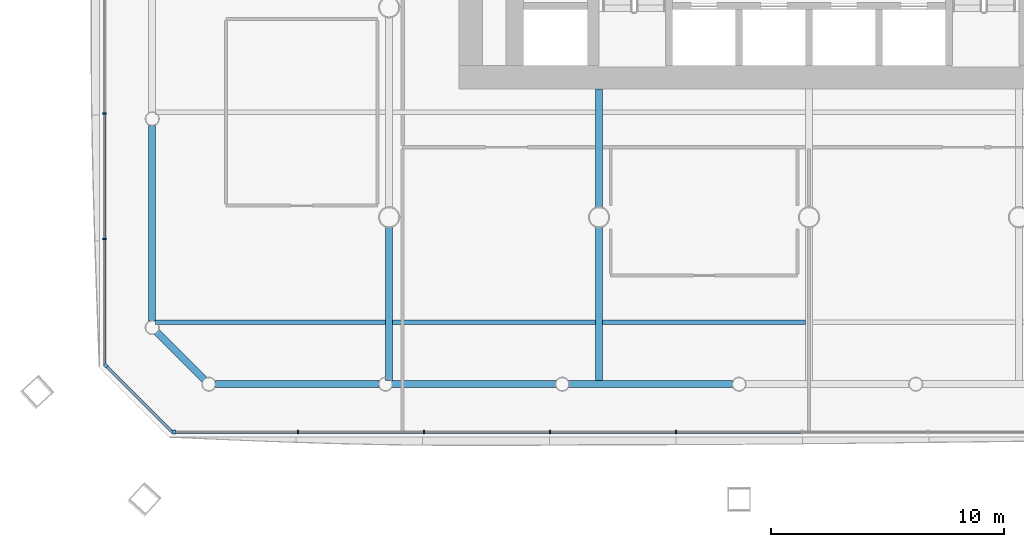
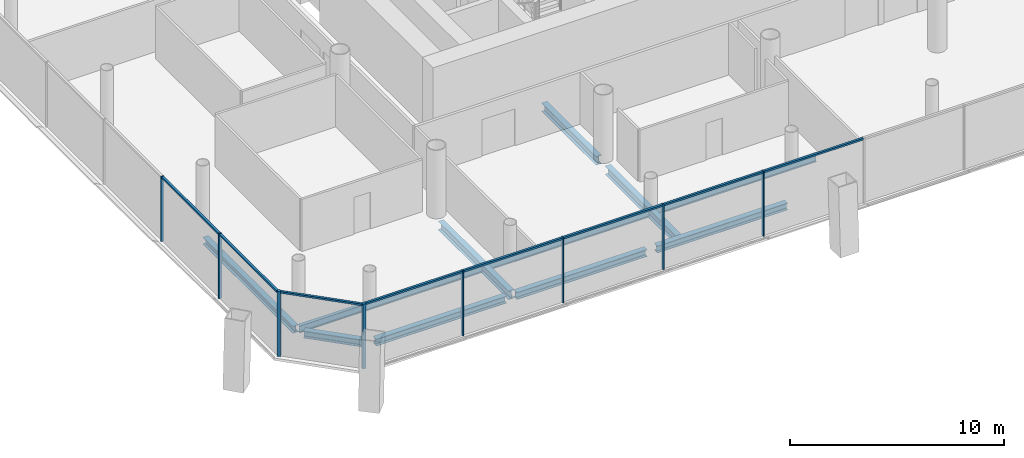
# One storey, part 3 of 22: 16 members, 11 beams, 3 elements without a shape of their own.
"""IFC4 building model written with IfcOpenShell, lengths in metres."""

from ifc_helpers import new_model, si_unit, direction, frame, origin, origin_2d, place, context, subcontext, project, spatial, rectangle, i_section, extrude, material, material_profile, profile_set, type_object, element, aggregate, save


model = new_model("IFC4")

# Units and contexts
model_context = context("Model", 3, precision=1e-05, world=origin(), true_north=direction((0.0, 1.0)))
body_context = subcontext(model_context, "Body", "Model", "MODEL_VIEW")
ifc_project = project(units=[si_unit("LENGTHUNIT", "METRE"), si_unit("AREAUNIT", "SQUARE_METRE"), si_unit("VOLUMEUNIT", "CUBIC_METRE"), si_unit("PLANEANGLEUNIT", "RADIAN"), si_unit("MASSUNIT", "GRAM", prefix="KILO")], contexts=[model_context])

# Site, building, storey
site_placement = place(None, origin())
site = spatial("IfcSite", under=ifc_project, at=site_placement, CompositionType="ELEMENT")
building_placement = place(site_placement, origin())
building = spatial("IfcBuilding", under=site, at=building_placement, Name="Tskaro Facet Tower", CompositionType="ELEMENT")
storey_placement = place(building_placement, frame((0.0, 0.0, 26.39990234375)))
storey = spatial("IfcBuildingStorey", under=building, at=storey_placement, Name="L05", CompositionType="ELEMENT", Elevation=26.39990234375)

# Curtain wall, member
ifc_material_1 = material(Name="Bronze anodised aluminium 6063-T6", Category="aluminium")
curtain_wall_type = type_object("IfcCurtainWallType", Name="Bronze office curtain wall (FW1)", PredefinedType="NOTDEFINED", material=ifc_material_1)
curtain_wall_1_placement = place(storey_placement, origin())
curtain_wall_1 = element("IfcCurtainWall", 1, at=curtain_wall_1_placement, inside=storey, type_object=curtain_wall_type, Name="FW1 south facet L05", PredefinedType="NOTDEFINED")
ifc_material_profile_1 = material_profile(ifc_material_1, rectangle(XDim=0.159912109375, YDim=0.159912109375, at=origin_2d()), Name="Corner post 160x160")
ifc_profile_set_1 = profile_set([ifc_material_profile_1], Name="Bronze anodised aluminium 6063-T6")
member_type_1 = type_object("IfcMemberType", Name="FW1 bronze corner post 160x160", PredefinedType="MULLION", material=ifc_profile_set_1)
member_1_placement = place(storey_placement, frame((-27.22509765625, -27.201904296875, 0.0), z_axis=(0.0, 0.0, 1.0), x_axis=(1.0, 0.0, 0.0)))
member_1 = element("IfcMember", 2, at=member_1_placement, type_object=member_type_1, Name="FW1 south corner post", PredefinedType="MULLION", context=body_context, shape_type="SweptSolid", body=[
    extrude(rectangle(XDim=0.159912109375, YDim=0.159912109375, at=origin_2d()), origin(), (0.0, 0.0, 1.0), 3.7001953125),
])

curtain_wall_2_placement = place(storey_placement, origin())
curtain_wall_2 = element("IfcCurtainWall", 3, at=curtain_wall_2_placement, inside=storey, type_object=curtain_wall_type, Name="FW1 south-west facet L05", PredefinedType="NOTDEFINED")
member_2_placement = place(storey_placement, frame((-30.1455078125, -24.361572265625, 0.0), z_axis=(0.0, 0.0, 1.0), x_axis=(0.707106781187, -0.707106781187, 0.0)))
member_2 = element("IfcMember", 4, at=member_2_placement, type_object=member_type_1, Name="FW1 south-west corner post", PredefinedType="MULLION", context=body_context, shape_type="SweptSolid", body=[
    extrude(rectangle(XDim=0.159912109375, YDim=0.159912109375, at=origin_2d()), origin(), (0.0, 0.0, 1.0), 3.7001953125),
])

# Member
ifc_material_profile_2 = material_profile(ifc_material_1, rectangle(XDim=0.06005859375, YDim=0.159912109375, at=origin_2d()), Name="Mullion 60x160")
ifc_profile_set_2 = profile_set([ifc_material_profile_2], Name="Bronze anodised aluminium 6063-T6")
member_type_2 = type_object("IfcMemberType", Name="FW1 bronze mullion 60x160", PredefinedType="MULLION", material=ifc_profile_set_2)
member_3_placement = place(storey_placement, frame((-21.90380859375, -27.201904296875, 0.0), z_axis=(0.0, 0.0, 1.0), x_axis=(1.0, 0.0, 0.0)))
member_3 = element("IfcMember", 5, at=member_3_placement, type_object=member_type_2, Name="FW1 south mullion 1", PredefinedType="MULLION", context=body_context, shape_type="SweptSolid", body=[
    extrude(rectangle(XDim=0.06005859375, YDim=0.159912109375, at=origin_2d()), origin(), (0.0, 0.0, 1.0), 3.7001953125),
])

member_4_placement = place(storey_placement, frame((-16.502685546875, -27.201904296875, 0.0), z_axis=(0.0, 0.0, 1.0), x_axis=(1.0, 0.0, 0.0)))
member_4 = element("IfcMember", 6, at=member_4_placement, type_object=member_type_2, Name="FW1 south mullion 2", PredefinedType="MULLION", context=body_context, shape_type="SweptSolid", body=[
    extrude(rectangle(XDim=0.06005859375, YDim=0.159912109375, at=origin_2d()), origin(), (0.0, 0.0, 1.0), 3.7001953125),
])

member_5_placement = place(storey_placement, frame((-11.1015625, -27.201904296875, 0.0), z_axis=(0.0, 0.0, 1.0), x_axis=(1.0, 0.0, 0.0)))
member_5 = element("IfcMember", 7, at=member_5_placement, type_object=member_type_2, Name="FW1 south mullion 3", PredefinedType="MULLION", context=body_context, shape_type="SweptSolid", body=[
    extrude(rectangle(XDim=0.06005859375, YDim=0.159912109375, at=origin_2d()), origin(), (0.0, 0.0, 1.0), 3.7001953125),
])

member_6_placement = place(storey_placement, frame((-5.700439453125, -27.201904296875, 0.0), z_axis=(0.0, 0.0, 1.0), x_axis=(1.0, 0.0, 0.0)))
member_6 = element("IfcMember", 8, at=member_6_placement, type_object=member_type_2, Name="FW1 south mullion 4", PredefinedType="MULLION", context=body_context, shape_type="SweptSolid", body=[
    extrude(rectangle(XDim=0.06005859375, YDim=0.159912109375, at=origin_2d()), origin(), (0.0, 0.0, 1.0), 3.7001953125),
])

# Curtain wall, members
curtain_wall_3_placement = place(storey_placement, origin())
curtain_wall_3 = element("IfcCurtainWall", 9, at=curtain_wall_3_placement, inside=storey, type_object=curtain_wall_type, Name="FW1 west facet L05", PredefinedType="NOTDEFINED")
member_7_placement = place(storey_placement, frame((-30.201904296875, -13.555908203125, 0.0), z_axis=(0.0, 0.0, 1.0), x_axis=(0.0, -1.0, 0.0)))
member_7 = element("IfcMember", 10, at=member_7_placement, type_object=member_type_2, Name="FW1 west mullion 7", PredefinedType="MULLION", context=body_context, shape_type="SweptSolid", body=[
    extrude(rectangle(XDim=0.06005859375, YDim=0.159912109375, at=origin_2d()), origin(), (0.0, 0.0, 1.0), 3.7001953125),
])
member_8_placement = place(storey_placement, frame((-30.201904296875, -18.930419921875, 0.0), z_axis=(0.0, 0.0, 1.0), x_axis=(0.0, -1.0, 0.0)))
member_8 = element("IfcMember", 11, at=member_8_placement, type_object=member_type_2, Name="FW1 west mullion 8", PredefinedType="MULLION", context=body_context, shape_type="SweptSolid", body=[
    extrude(rectangle(XDim=0.06005859375, YDim=0.159912109375, at=origin_2d()), origin(), (0.0, 0.0, 1.0), 3.7001953125),
])

# Member
ifc_material_profile_3 = material_profile(ifc_material_1, rectangle(XDim=0.1201171875, YDim=0.10009765625, at=origin_2d()), Name="Transom 120x100")
ifc_profile_set_3 = profile_set([ifc_material_profile_3], Name="Bronze anodised aluminium 6063-T6")
member_type_3 = type_object("IfcMemberType", Name="FW1 bronze transom 120x100", PredefinedType="USERDEFINED", material=ifc_profile_set_3)
member_9_placement = place(storey_placement, frame((-27.14501953125, -27.201904296875, 3.650146484375), z_axis=(1.0, 0.0, 0.0), x_axis=(0.0, 1.0, 0.0)))
member_9 = element("IfcMember", 12, at=member_9_placement, type_object=member_type_3, Name="FW1 south transom 1.1", ObjectType="TRANSOM", PredefinedType="USERDEFINED", context=body_context, shape_type="SweptSolid", body=[
    extrude(rectangle(XDim=0.1201171875, YDim=0.10009765625, at=origin_2d()), origin(), (0.0, 0.0, 1.0), 5.211181640625),
])

member_10_placement = place(storey_placement, frame((-21.873779296875, -27.201904296875, 3.650146484375), z_axis=(1.0, 0.0, 0.0), x_axis=(0.0, 1.0, 0.0)))
member_10 = element("IfcMember", 13, at=member_10_placement, type_object=member_type_3, Name="FW1 south transom 2.1", ObjectType="TRANSOM", PredefinedType="USERDEFINED", context=body_context, shape_type="SweptSolid", body=[
    extrude(rectangle(XDim=0.1201171875, YDim=0.10009765625, at=origin_2d()), origin(), (0.0, 0.0, 1.0), 5.341064453125),
])

member_11_placement = place(storey_placement, frame((-16.47265625, -27.201904296875, 3.650146484375), z_axis=(1.0, 0.0, 0.0), x_axis=(0.0, 1.0, 0.0)))
member_11 = element("IfcMember", 14, at=member_11_placement, type_object=member_type_3, Name="FW1 south transom 3.1", ObjectType="TRANSOM", PredefinedType="USERDEFINED", context=body_context, shape_type="SweptSolid", body=[
    extrude(rectangle(XDim=0.1201171875, YDim=0.10009765625, at=origin_2d()), origin(), (0.0, 0.0, 1.0), 5.341064453125),
])

member_12_placement = place(storey_placement, frame((-11.07177734375, -27.201904296875, 3.650146484375), z_axis=(1.0, 0.0, 0.0), x_axis=(0.0, 1.0, 0.0)))
member_12 = element("IfcMember", 15, at=member_12_placement, type_object=member_type_3, Name="FW1 south transom 4.1", ObjectType="TRANSOM", PredefinedType="USERDEFINED", context=body_context, shape_type="SweptSolid", body=[
    extrude(rectangle(XDim=0.1201171875, YDim=0.10009765625, at=origin_2d()), origin(), (0.0, 0.0, 1.0), 5.34130859375),
])

member_13_placement = place(storey_placement, frame((-5.670654296875, -27.201904296875, 3.650146484375), z_axis=(1.0, 0.0, 0.0), x_axis=(0.0, 1.0, 0.0)))
member_13 = element("IfcMember", 16, at=member_13_placement, type_object=member_type_3, Name="FW1 south transom 5.1", ObjectType="TRANSOM", PredefinedType="USERDEFINED", context=body_context, shape_type="SweptSolid", body=[
    extrude(rectangle(XDim=0.1201171875, YDim=0.10009765625, at=origin_2d()), origin(), (0.0, 0.0, 1.0), 5.34130859375),
])

aggregate(curtain_wall_1, [member_1, member_3, member_4, member_5, member_6, member_9, member_10, member_11, member_12, member_13])

member_14_placement = place(storey_placement, frame((-30.201904296875, -13.5859375, 3.650146484375), z_axis=(0.0, -1.0, 0.0), x_axis=(1.0, 0.0, 0.0)))
member_14 = element("IfcMember", 17, at=member_14_placement, type_object=member_type_3, Name="FW1 west transom 8.1", ObjectType="TRANSOM", PredefinedType="USERDEFINED", context=body_context, shape_type="SweptSolid", body=[
    extrude(rectangle(XDim=0.1201171875, YDim=0.10009765625, at=origin_2d()), origin(), (0.0, 0.0, 1.0), 5.314453125),
])

member_15_placement = place(storey_placement, frame((-30.201904296875, -18.96044921875, 3.650146484375), z_axis=(0.0, -1.0, 0.0), x_axis=(1.0, 0.0, 0.0)))
member_15 = element("IfcMember", 18, at=member_15_placement, type_object=member_type_3, Name="FW1 west transom 9.1", ObjectType="TRANSOM", PredefinedType="USERDEFINED", context=body_context, shape_type="SweptSolid", body=[
    extrude(rectangle(XDim=0.1201171875, YDim=0.10009765625, at=origin_2d()), origin(), (0.0, 0.0, 1.0), 5.344482421875),
])

aggregate(curtain_wall_3, [member_7, member_8, member_14, member_15])

member_16_placement = place(storey_placement, frame((-30.0888671875, -24.418212890625, 3.650146484375), z_axis=(0.707137787162, -0.707075773851, 0.0), x_axis=(0.707075773851, 0.707137787162, 0.0)))
member_16 = element("IfcMember", 19, at=member_16_placement, type_object=member_type_3, Name="FW1 south-west transom 1.1", ObjectType="TRANSOM", PredefinedType="USERDEFINED", context=body_context, shape_type="SweptSolid", body=[
    extrude(rectangle(XDim=0.1201171875, YDim=0.10009765625, at=origin_2d()), origin(), (0.0, 0.0, 1.0), 3.93701171875),
])

aggregate(curtain_wall_2, [member_2, member_16])

# Beams
ifc_material_2 = material(Name="Steel S355J2", Category="steel")
ifc_material_profile_4 = material_profile(ifc_material_2, i_section(OverallWidth=0.300048828125, OverallDepth=0.39990234375, WebThickness=0.013427734375, FlangeThickness=0.02392578125, FilletRadius=0.027099609375, at=origin_2d()), Name="HE 400 B")
ifc_profile_set_4 = profile_set([ifc_material_profile_4], Name="Steel S355J2")
beam_type_1 = type_object("IfcBeamType", Name="HE 400 B ring beam", PredefinedType="BEAM", material=ifc_profile_set_4)
beam_1_placement = place(storey_placement, frame((-25.4541015625, -25.156982421875, -0.33984375), z_axis=(1.0, 0.0, 0.0), x_axis=(0.0, 1.0, 0.0)))
element("IfcBeam", 20, at=beam_1_placement, inside=storey, type_object=beam_type_1, Name="HE 400 B EB1-1", PredefinedType="BEAM", context=body_context, shape_type="SweptSolid", body=[
    extrude(i_section(OverallWidth=0.300048828125, OverallDepth=0.39990234375, WebThickness=0.013427734375, FlangeThickness=0.02392578125, FilletRadius=0.027099609375, at=origin_2d()), origin(), (0.0, 0.0, 1.0), 7.026123046875),
])
beam_2_placement = place(storey_placement, frame((-17.8779296875, -25.156982421875, -0.33984375), z_axis=(1.0, 0.0, 0.0), x_axis=(0.0, 1.0, 0.0)))
element("IfcBeam", 21, at=beam_2_placement, inside=storey, type_object=beam_type_1, Name="HE 400 B EB2-1", PredefinedType="BEAM", context=body_context, shape_type="SweptSolid", body=[
    extrude(i_section(OverallWidth=0.300048828125, OverallDepth=0.39990234375, WebThickness=0.013427734375, FlangeThickness=0.02392578125, FilletRadius=0.027099609375, at=origin_2d()), origin(), (0.0, 0.0, 1.0), 7.02685546875),
])
beam_3_placement = place(storey_placement, frame((-10.301025390625, -25.156982421875, -0.33984375), z_axis=(1.0, 0.0, 0.0), x_axis=(0.0, 1.0, 0.0)))
element("IfcBeam", 22, at=beam_3_placement, inside=storey, type_object=beam_type_1, Name="HE 400 B EB3-1", PredefinedType="BEAM", context=body_context, shape_type="SweptSolid", body=[
    extrude(i_section(OverallWidth=0.300048828125, OverallDepth=0.39990234375, WebThickness=0.013427734375, FlangeThickness=0.02392578125, FilletRadius=0.027099609375, at=origin_2d()), origin(), (0.0, 0.0, 1.0), 7.026123046875),
])
beam_4_placement = place(storey_placement, frame((-28.156982421875, -14.055908203125, -0.33984375), z_axis=(0.0, -1.0, 0.0), x_axis=(1.0, 0.0, 0.0)))
element("IfcBeam", 23, at=beam_4_placement, inside=storey, type_object=beam_type_1, Name="HE 400 B EB24-1", PredefinedType="BEAM", context=body_context, shape_type="SweptSolid", body=[
    extrude(i_section(OverallWidth=0.300048828125, OverallDepth=0.39990234375, WebThickness=0.013427734375, FlangeThickness=0.02392578125, FilletRadius=0.027099609375, at=origin_2d()), origin(), (0.0, 0.0, 1.0), 8.398193359375),
])
beam_5_placement = place(storey_placement, frame((-27.962646484375, -22.92333984375, -0.33984375), z_axis=(0.707106781187, -0.707106781187, 0.0), x_axis=(0.707106781187, 0.707106781187, 0.0)))
element("IfcBeam", 24, at=beam_5_placement, inside=storey, type_object=beam_type_1, Name="HE 400 B EB25-1", PredefinedType="BEAM", context=body_context, shape_type="SweptSolid", body=[
    extrude(i_section(OverallWidth=0.300048828125, OverallDepth=0.39990234375, WebThickness=0.013427734375, FlangeThickness=0.02392578125, FilletRadius=0.027099609375, at=origin_2d()), origin(), (0.0, 0.0, 1.0), 2.884033203125),
])
ifc_material_profile_5 = material_profile(ifc_material_2, i_section(OverallWidth=0.300048828125, OverallDepth=0.489990234375, WebThickness=0.011962890625, FlangeThickness=0.02294921875, FilletRadius=0.027099609375, at=origin_2d()), Name="HE 500 A")
ifc_profile_set_5 = profile_set([ifc_material_profile_5], Name="Steel S355J2")
beam_type_2 = type_object("IfcBeamType", Name="HE 500 A girder", PredefinedType="BEAM", material=ifc_profile_set_5)
for number, where, z_axis, x_axis, name in (
    (25, (-18.0, -25.007080078125, -0.385009765625), (0.0, 1.0, 0.0), (-1.0, 0.0, 0.0), "HE 500 A GB2-1-1"),
    (26, (-9.0, -25.007080078125, -0.385009765625), (0.0, 1.0, 0.0), (-1.0, 0.0, 0.0), "HE 500 A GB3-1-1"),
):
    element("IfcBeam", number, at=place(storey_placement, frame(where, z_axis=z_axis, x_axis=x_axis)), inside=storey, type_object=beam_type_2, Name=name, PredefinedType="BEAM", context=body_context, shape_type="SweptSolid", body=[
        extrude(i_section(OverallWidth=0.300048828125, OverallDepth=0.489990234375, WebThickness=0.011962890625, FlangeThickness=0.02294921875, FilletRadius=0.027099609375, at=origin_2d()), origin(), (0.0, 0.0, 1.0), 6.579833984375),
    ])
beam_6_placement = place(storey_placement, frame((-9.0, -17.57275390625, -0.385009765625), z_axis=(0.0, 1.0, 0.0), x_axis=(-1.0, 0.0, 0.0)))
element("IfcBeam", 27, at=beam_6_placement, inside=storey, type_object=beam_type_2, Name="HE 500 A GB3-2-1", PredefinedType="BEAM", context=body_context, shape_type="SweptSolid", body=[
    extrude(i_section(OverallWidth=0.300048828125, OverallDepth=0.489990234375, WebThickness=0.011962890625, FlangeThickness=0.02294921875, FilletRadius=0.027099609375, at=origin_2d()), origin(), (0.0, 0.0, 1.0), 5.07275390625),
])
ifc_material_profile_6 = material_profile(ifc_material_2, i_section(OverallWidth=0.179931640625, OverallDepth=0.39990234375, WebThickness=0.008544921875, FlangeThickness=0.013427734375, FilletRadius=0.02099609375, at=origin_2d()), Name="IPE 400")
ifc_profile_set_6 = profile_set([ifc_material_profile_6], Name="Steel S355J2")
beam_type_3 = type_object("IfcBeamType", Name="IPE 400 secondary beam", PredefinedType="BEAM", material=ifc_profile_set_6)
beam_7_placement = place(storey_placement, frame((-28.007080078125, -22.5, -0.33984375), z_axis=(1.0, 0.0, 0.0), x_axis=(0.0, 1.0, 0.0)))
element("IfcBeam", 28, at=beam_7_placement, inside=storey, type_object=beam_type_3, Name="IPE 400 SB1a-1-1", PredefinedType="BEAM", context=body_context, shape_type="SweptSolid", body=[
    extrude(i_section(OverallWidth=0.179931640625, OverallDepth=0.39990234375, WebThickness=0.008544921875, FlangeThickness=0.013427734375, FilletRadius=0.02099609375, at=origin_2d()), origin(), (0.0, 0.0, 1.0), 9.857177734375),
])
for number, where, z_axis, x_axis, name in (
    (29, (-17.85009765625, -22.5, -0.33984375), (1.0, 0.0, 0.0), (0.0, 1.0, 0.0), "IPE 400 SB1a-2-1"),
    (30, (-8.85009765625, -22.5, -0.33984375), (1.0, 0.0, 0.0), (0.0, 1.0, 0.0), "IPE 400 SB1a-3-1"),
):
    element("IfcBeam", number, at=place(storey_placement, frame(where, z_axis=z_axis, x_axis=x_axis)), inside=storey, type_object=beam_type_3, Name=name, PredefinedType="BEAM", context=body_context, shape_type="SweptSolid", body=[
        extrude(i_section(OverallWidth=0.179931640625, OverallDepth=0.39990234375, WebThickness=0.008544921875, FlangeThickness=0.013427734375, FilletRadius=0.02099609375, at=origin_2d()), origin(), (0.0, 0.0, 1.0), 8.7001953125),
    ])

save(model, "model.ifc")
